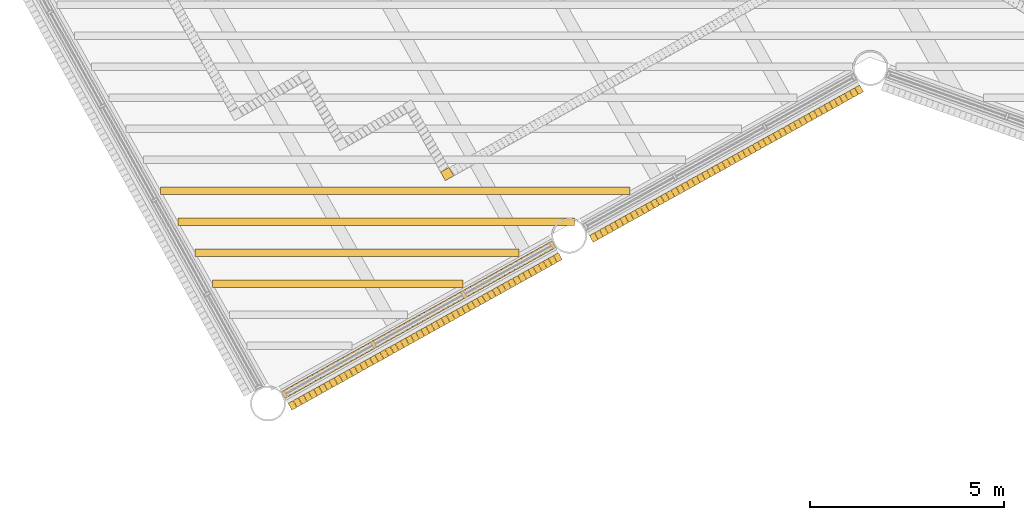
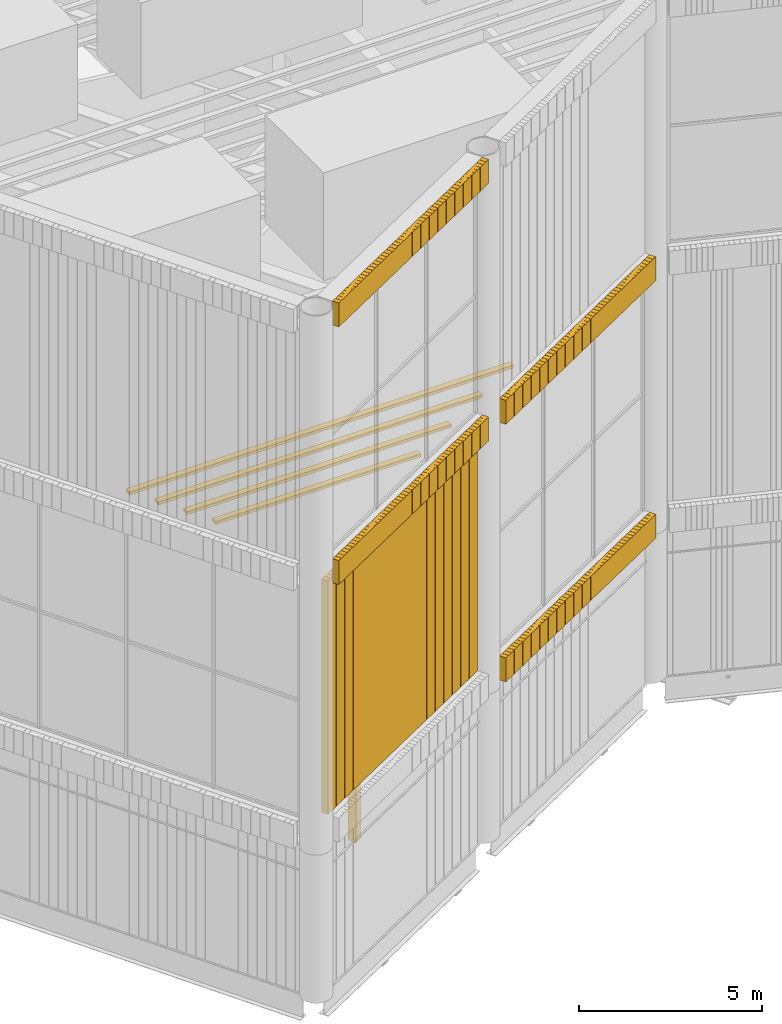
# One storey, part 87 of 117: 5 coverings, 5 shading devices.
"""IFC4 building model written with IfcOpenShell, lengths in metres."""

from ifc_helpers import new_model, si_unit, direction, frame, frame_2d, origin, origin_2d, place, context, subcontext, project, spatial, rectangle, composite_profile, extrude, material, type_object, element, save


model = new_model("IFC4")

# Units and contexts
model_context = context("Model", 3, precision=1e-05, world=origin(), true_north=direction((0.0, 1.0)))
body_context = subcontext(model_context, "Body", "Model", "MODEL_VIEW")
ifc_project = project(units=[si_unit("LENGTHUNIT", "METRE"), si_unit("AREAUNIT", "SQUARE_METRE"), si_unit("VOLUMEUNIT", "CUBIC_METRE"), si_unit("PLANEANGLEUNIT", "RADIAN"), si_unit("MASSUNIT", "GRAM", prefix="KILO")], contexts=[model_context])

# Site, building, storey
site_placement = place(None, origin())
site = spatial("IfcSite", under=ifc_project, at=site_placement, CompositionType="ELEMENT")
building_placement = place(site_placement, origin())
building = spatial("IfcBuilding", under=site, at=building_placement, Name="Tarsis Ring Headquarters", CompositionType="ELEMENT")
storey_placement = place(building_placement, frame((0.0, 0.0, 403.60009765625)))
storey = spatial("IfcBuildingStorey", under=building, at=storey_placement, Name="L95", CompositionType="ELEMENT", Elevation=403.60009765625)

# Coverings
ifc_material_1 = material(Name="Terracotta louvre", Category="masonry")
covering_type = type_object("IfcCoveringType", Name="Crown louvre fin", PredefinedType="CLADDING", material=ifc_material_1)
covering_1_placement = place(storey_placement, frame((-21.84130859375, -29.5087890625, 5.0), z_axis=(0.0, 0.0, 1.0), x_axis=(0.873594132029, 0.486644254279, 0.0)))
element("IfcCovering", 1, at=covering_1_placement, inside=storey, type_object=covering_type, Name="Crown louvre fascia R19", PredefinedType="CLADDING", context=body_context, shape_type="SweptSolid", body=[
    extrude(composite_profile([rectangle(XDim=0.14501953125, YDim=0.199951171875, at=frame_2d((0.072509765625, 0.0))), rectangle(XDim=0.14501953125, YDim=0.199951171875, at=frame_2d((0.223388671875, 0.0))), rectangle(XDim=0.14501953125, YDim=0.199951171875, at=frame_2d((0.374267578125, 0.0))), rectangle(XDim=0.14501953125, YDim=0.199951171875, at=frame_2d((0.52490234375, 0.0))), rectangle(XDim=0.14501953125, YDim=0.199951171875, at=frame_2d((0.67578125, 0.0))), rectangle(XDim=0.14501953125, YDim=0.199951171875, at=frame_2d((0.82666015625, 0.0))), rectangle(XDim=0.14501953125, YDim=0.199951171875, at=frame_2d((0.9775390625, 0.0))), rectangle(XDim=0.14501953125, YDim=0.199951171875, at=frame_2d((1.12841796875, 0.0))), rectangle(XDim=0.14501953125, YDim=0.199951171875, at=frame_2d((1.279052734375, 0.0))), rectangle(XDim=0.14501953125, YDim=0.199951171875, at=frame_2d((1.429931640625, 0.0))), rectangle(XDim=0.14501953125, YDim=0.199951171875, at=frame_2d((1.580810546875, 0.0))), rectangle(XDim=0.14501953125, YDim=0.199951171875, at=frame_2d((1.731689453125, 0.0))), rectangle(XDim=0.14501953125, YDim=0.199951171875, at=frame_2d((1.882568359375, 0.0))), rectangle(XDim=0.14501953125, YDim=0.199951171875, at=frame_2d((2.033203125, 0.0))), rectangle(XDim=0.14501953125, YDim=0.199951171875, at=frame_2d((2.18408203125, 0.0))), rectangle(XDim=0.14501953125, YDim=0.199951171875, at=frame_2d((2.3349609375, 0.0))), rectangle(XDim=0.14501953125, YDim=0.199951171875, at=frame_2d((2.48583984375, 0.0))), rectangle(XDim=0.14501953125, YDim=0.199951171875, at=frame_2d((2.63671875, 0.0))), rectangle(XDim=0.14501953125, YDim=0.199951171875, at=frame_2d((2.78759765625, 0.0))), rectangle(XDim=0.14501953125, YDim=0.199951171875, at=frame_2d((2.938232421875, 0.0))), rectangle(XDim=0.14501953125, YDim=0.199951171875, at=frame_2d((3.089111328125, 0.0))), rectangle(XDim=0.14501953125, YDim=0.199951171875, at=frame_2d((3.239990234375, 0.0))), rectangle(XDim=0.14501953125, YDim=0.199951171875, at=frame_2d((3.390869140625, 0.0))), rectangle(XDim=0.14501953125, YDim=0.199951171875, at=frame_2d((3.541748046875, 0.0))), rectangle(XDim=0.14501953125, YDim=0.199951171875, at=frame_2d((3.6923828125, 0.0))), rectangle(XDim=0.14501953125, YDim=0.199951171875, at=frame_2d((3.84326171875, 0.0))), rectangle(XDim=0.14501953125, YDim=0.199951171875, at=frame_2d((3.994140625, 0.0))), rectangle(XDim=0.14501953125, YDim=0.199951171875, at=frame_2d((4.14501953125, 0.0))), rectangle(XDim=0.14501953125, YDim=0.199951171875, at=frame_2d((4.2958984375, 0.0))), rectangle(XDim=0.14501953125, YDim=0.199951171875, at=frame_2d((4.446533203125, 0.0))), rectangle(XDim=0.14501953125, YDim=0.199951171875, at=frame_2d((4.597412109375, 0.0))), rectangle(XDim=0.14501953125, YDim=0.199951171875, at=frame_2d((4.748291015625, 0.0))), rectangle(XDim=0.14501953125, YDim=0.199951171875, at=frame_2d((4.899169921875, 0.0))), rectangle(XDim=0.14501953125, YDim=0.199951171875, at=frame_2d((5.050048828125, 0.0))), rectangle(XDim=0.14501953125, YDim=0.199951171875, at=frame_2d((5.20068359375, 0.0))), rectangle(XDim=0.14501953125, YDim=0.199951171875, at=frame_2d((5.3515625, 0.0))), rectangle(XDim=0.14501953125, YDim=0.199951171875, at=frame_2d((5.50244140625, 0.0))), rectangle(XDim=0.14501953125, YDim=0.199951171875, at=frame_2d((5.6533203125, 0.0))), rectangle(XDim=0.14501953125, YDim=0.199951171875, at=frame_2d((5.80419921875, 0.0))), rectangle(XDim=0.14501953125, YDim=0.199951171875, at=frame_2d((5.955078125, 0.0))), rectangle(XDim=0.14501953125, YDim=0.199951171875, at=frame_2d((6.105712890625, 0.0))), rectangle(XDim=0.14501953125, YDim=0.199951171875, at=frame_2d((6.256591796875, 0.0))), rectangle(XDim=0.14501953125, YDim=0.199951171875, at=frame_2d((6.407470703125, 0.0))), rectangle(XDim=0.14501953125, YDim=0.199951171875, at=frame_2d((6.558349609375, 0.0))), rectangle(XDim=0.14501953125, YDim=0.199951171875, at=frame_2d((6.709228515625, 0.0))), rectangle(XDim=0.14501953125, YDim=0.199951171875, at=frame_2d((6.85986328125, 0.0))), rectangle(XDim=0.14501953125, YDim=0.199951171875, at=frame_2d((7.0107421875, 0.0))), rectangle(XDim=0.14501953125, YDim=0.199951171875, at=frame_2d((7.16162109375, 0.0))), rectangle(XDim=0.14501953125, YDim=0.199951171875, at=frame_2d((7.3125, 0.0))), rectangle(XDim=0.14501953125, YDim=0.199951171875, at=frame_2d((7.46337890625, 0.0))), rectangle(XDim=0.14501953125, YDim=0.199951171875, at=frame_2d((7.614013671875, 0.0))), rectangle(XDim=0.14501953125, YDim=0.199951171875, at=frame_2d((7.764892578125, 0.0))), rectangle(XDim=0.14501953125, YDim=0.199951171875, at=frame_2d((7.915771484375, 0.0)))]), origin(), (0.0, 0.0, 1.0), 0.7998046875),
])
covering_2_placement = place(storey_placement, frame((-29.618408203125, -33.8408203125, 13.599853515625), z_axis=(0.0, 0.0, 1.0), x_axis=(0.873594132029, 0.486644254279, 0.0)))
element("IfcCovering", 2, at=covering_2_placement, inside=storey, type_object=covering_type, Name="Crown louvre fascia M18", PredefinedType="CLADDING", context=body_context, shape_type="SweptSolid", body=[
    extrude(composite_profile([rectangle(XDim=0.14501953125, YDim=0.199951171875, at=frame_2d((0.072509765625, 0.0))), rectangle(XDim=0.14501953125, YDim=0.199951171875, at=frame_2d((0.223388671875, 0.0))), rectangle(XDim=0.14501953125, YDim=0.199951171875, at=frame_2d((0.374267578125, 0.0))), rectangle(XDim=0.14501953125, YDim=0.199951171875, at=frame_2d((0.52490234375, 0.0))), rectangle(XDim=0.14501953125, YDim=0.199951171875, at=frame_2d((0.67578125, 0.0))), rectangle(XDim=0.14501953125, YDim=0.199951171875, at=frame_2d((0.82666015625, 0.0))), rectangle(XDim=0.14501953125, YDim=0.199951171875, at=frame_2d((0.9775390625, 0.0))), rectangle(XDim=0.14501953125, YDim=0.199951171875, at=frame_2d((1.12841796875, 0.0))), rectangle(XDim=0.14501953125, YDim=0.199951171875, at=frame_2d((1.279052734375, 0.0))), rectangle(XDim=0.14501953125, YDim=0.199951171875, at=frame_2d((1.429931640625, 0.0))), rectangle(XDim=0.14501953125, YDim=0.199951171875, at=frame_2d((1.580810546875, 0.0))), rectangle(XDim=0.14501953125, YDim=0.199951171875, at=frame_2d((1.731689453125, 0.0))), rectangle(XDim=0.14501953125, YDim=0.199951171875, at=frame_2d((1.882568359375, 0.0))), rectangle(XDim=0.14501953125, YDim=0.199951171875, at=frame_2d((2.033203125, 0.0))), rectangle(XDim=0.14501953125, YDim=0.199951171875, at=frame_2d((2.18408203125, 0.0))), rectangle(XDim=0.14501953125, YDim=0.199951171875, at=frame_2d((2.3349609375, 0.0))), rectangle(XDim=0.14501953125, YDim=0.199951171875, at=frame_2d((2.48583984375, 0.0))), rectangle(XDim=0.14501953125, YDim=0.199951171875, at=frame_2d((2.63671875, 0.0))), rectangle(XDim=0.14501953125, YDim=0.199951171875, at=frame_2d((2.78759765625, 0.0))), rectangle(XDim=0.14501953125, YDim=0.199951171875, at=frame_2d((2.938232421875, 0.0))), rectangle(XDim=0.14501953125, YDim=0.199951171875, at=frame_2d((3.089111328125, 0.0))), rectangle(XDim=0.14501953125, YDim=0.199951171875, at=frame_2d((3.239990234375, 0.0))), rectangle(XDim=0.14501953125, YDim=0.199951171875, at=frame_2d((3.390869140625, 0.0))), rectangle(XDim=0.14501953125, YDim=0.199951171875, at=frame_2d((3.541748046875, 0.0))), rectangle(XDim=0.14501953125, YDim=0.199951171875, at=frame_2d((3.6923828125, 0.0))), rectangle(XDim=0.14501953125, YDim=0.199951171875, at=frame_2d((3.84326171875, 0.0))), rectangle(XDim=0.14501953125, YDim=0.199951171875, at=frame_2d((3.994140625, 0.0))), rectangle(XDim=0.14501953125, YDim=0.199951171875, at=frame_2d((4.14501953125, 0.0))), rectangle(XDim=0.14501953125, YDim=0.199951171875, at=frame_2d((4.2958984375, 0.0))), rectangle(XDim=0.14501953125, YDim=0.199951171875, at=frame_2d((4.446533203125, 0.0))), rectangle(XDim=0.14501953125, YDim=0.199951171875, at=frame_2d((4.597412109375, 0.0))), rectangle(XDim=0.14501953125, YDim=0.199951171875, at=frame_2d((4.748291015625, 0.0))), rectangle(XDim=0.14501953125, YDim=0.199951171875, at=frame_2d((4.899169921875, 0.0))), rectangle(XDim=0.14501953125, YDim=0.199951171875, at=frame_2d((5.050048828125, 0.0))), rectangle(XDim=0.14501953125, YDim=0.199951171875, at=frame_2d((5.20068359375, 0.0))), rectangle(XDim=0.14501953125, YDim=0.199951171875, at=frame_2d((5.3515625, 0.0))), rectangle(XDim=0.14501953125, YDim=0.199951171875, at=frame_2d((5.50244140625, 0.0))), rectangle(XDim=0.14501953125, YDim=0.199951171875, at=frame_2d((5.6533203125, 0.0))), rectangle(XDim=0.14501953125, YDim=0.199951171875, at=frame_2d((5.80419921875, 0.0))), rectangle(XDim=0.14501953125, YDim=0.199951171875, at=frame_2d((5.955078125, 0.0))), rectangle(XDim=0.14501953125, YDim=0.199951171875, at=frame_2d((6.105712890625, 0.0))), rectangle(XDim=0.14501953125, YDim=0.199951171875, at=frame_2d((6.256591796875, 0.0))), rectangle(XDim=0.14501953125, YDim=0.199951171875, at=frame_2d((6.407470703125, 0.0))), rectangle(XDim=0.14501953125, YDim=0.199951171875, at=frame_2d((6.558349609375, 0.0))), rectangle(XDim=0.14501953125, YDim=0.199951171875, at=frame_2d((6.709228515625, 0.0))), rectangle(XDim=0.14501953125, YDim=0.199951171875, at=frame_2d((6.85986328125, 0.0))), rectangle(XDim=0.14501953125, YDim=0.199951171875, at=frame_2d((7.0107421875, 0.0))), rectangle(XDim=0.14501953125, YDim=0.199951171875, at=frame_2d((7.16162109375, 0.0))), rectangle(XDim=0.14501953125, YDim=0.199951171875, at=frame_2d((7.3125, 0.0))), rectangle(XDim=0.14501953125, YDim=0.199951171875, at=frame_2d((7.46337890625, 0.0))), rectangle(XDim=0.14501953125, YDim=0.199951171875, at=frame_2d((7.614013671875, 0.0))), rectangle(XDim=0.14501953125, YDim=0.199951171875, at=frame_2d((7.764892578125, 0.0))), rectangle(XDim=0.14501953125, YDim=0.199951171875, at=frame_2d((7.915771484375, 0.0)))]), origin(), (0.0, 0.0, 1.0), 0.800048828125),
])
covering_3_placement = place(storey_placement, frame((-21.84130859375, -29.5087890625, 13.599853515625), z_axis=(0.0, 0.0, 1.0), x_axis=(0.873594132029, 0.486644254279, 0.0)))
element("IfcCovering", 3, at=covering_3_placement, inside=storey, type_object=covering_type, Name="Crown louvre fascia M19", PredefinedType="CLADDING", context=body_context, shape_type="SweptSolid", body=[
    extrude(composite_profile([rectangle(XDim=0.14501953125, YDim=0.199951171875, at=frame_2d((0.072509765625, 0.0))), rectangle(XDim=0.14501953125, YDim=0.199951171875, at=frame_2d((0.223388671875, 0.0))), rectangle(XDim=0.14501953125, YDim=0.199951171875, at=frame_2d((0.374267578125, 0.0))), rectangle(XDim=0.14501953125, YDim=0.199951171875, at=frame_2d((0.52490234375, 0.0))), rectangle(XDim=0.14501953125, YDim=0.199951171875, at=frame_2d((0.67578125, 0.0))), rectangle(XDim=0.14501953125, YDim=0.199951171875, at=frame_2d((0.82666015625, 0.0))), rectangle(XDim=0.14501953125, YDim=0.199951171875, at=frame_2d((0.9775390625, 0.0))), rectangle(XDim=0.14501953125, YDim=0.199951171875, at=frame_2d((1.12841796875, 0.0))), rectangle(XDim=0.14501953125, YDim=0.199951171875, at=frame_2d((1.279052734375, 0.0))), rectangle(XDim=0.14501953125, YDim=0.199951171875, at=frame_2d((1.429931640625, 0.0))), rectangle(XDim=0.14501953125, YDim=0.199951171875, at=frame_2d((1.580810546875, 0.0))), rectangle(XDim=0.14501953125, YDim=0.199951171875, at=frame_2d((1.731689453125, 0.0))), rectangle(XDim=0.14501953125, YDim=0.199951171875, at=frame_2d((1.882568359375, 0.0))), rectangle(XDim=0.14501953125, YDim=0.199951171875, at=frame_2d((2.033203125, 0.0))), rectangle(XDim=0.14501953125, YDim=0.199951171875, at=frame_2d((2.18408203125, 0.0))), rectangle(XDim=0.14501953125, YDim=0.199951171875, at=frame_2d((2.3349609375, 0.0))), rectangle(XDim=0.14501953125, YDim=0.199951171875, at=frame_2d((2.48583984375, 0.0))), rectangle(XDim=0.14501953125, YDim=0.199951171875, at=frame_2d((2.63671875, 0.0))), rectangle(XDim=0.14501953125, YDim=0.199951171875, at=frame_2d((2.78759765625, 0.0))), rectangle(XDim=0.14501953125, YDim=0.199951171875, at=frame_2d((2.938232421875, 0.0))), rectangle(XDim=0.14501953125, YDim=0.199951171875, at=frame_2d((3.089111328125, 0.0))), rectangle(XDim=0.14501953125, YDim=0.199951171875, at=frame_2d((3.239990234375, 0.0))), rectangle(XDim=0.14501953125, YDim=0.199951171875, at=frame_2d((3.390869140625, 0.0))), rectangle(XDim=0.14501953125, YDim=0.199951171875, at=frame_2d((3.541748046875, 0.0))), rectangle(XDim=0.14501953125, YDim=0.199951171875, at=frame_2d((3.6923828125, 0.0))), rectangle(XDim=0.14501953125, YDim=0.199951171875, at=frame_2d((3.84326171875, 0.0))), rectangle(XDim=0.14501953125, YDim=0.199951171875, at=frame_2d((3.994140625, 0.0))), rectangle(XDim=0.14501953125, YDim=0.199951171875, at=frame_2d((4.14501953125, 0.0))), rectangle(XDim=0.14501953125, YDim=0.199951171875, at=frame_2d((4.2958984375, 0.0))), rectangle(XDim=0.14501953125, YDim=0.199951171875, at=frame_2d((4.446533203125, 0.0))), rectangle(XDim=0.14501953125, YDim=0.199951171875, at=frame_2d((4.597412109375, 0.0))), rectangle(XDim=0.14501953125, YDim=0.199951171875, at=frame_2d((4.748291015625, 0.0))), rectangle(XDim=0.14501953125, YDim=0.199951171875, at=frame_2d((4.899169921875, 0.0))), rectangle(XDim=0.14501953125, YDim=0.199951171875, at=frame_2d((5.050048828125, 0.0))), rectangle(XDim=0.14501953125, YDim=0.199951171875, at=frame_2d((5.20068359375, 0.0))), rectangle(XDim=0.14501953125, YDim=0.199951171875, at=frame_2d((5.3515625, 0.0))), rectangle(XDim=0.14501953125, YDim=0.199951171875, at=frame_2d((5.50244140625, 0.0))), rectangle(XDim=0.14501953125, YDim=0.199951171875, at=frame_2d((5.6533203125, 0.0))), rectangle(XDim=0.14501953125, YDim=0.199951171875, at=frame_2d((5.80419921875, 0.0))), rectangle(XDim=0.14501953125, YDim=0.199951171875, at=frame_2d((5.955078125, 0.0))), rectangle(XDim=0.14501953125, YDim=0.199951171875, at=frame_2d((6.105712890625, 0.0))), rectangle(XDim=0.14501953125, YDim=0.199951171875, at=frame_2d((6.256591796875, 0.0))), rectangle(XDim=0.14501953125, YDim=0.199951171875, at=frame_2d((6.407470703125, 0.0))), rectangle(XDim=0.14501953125, YDim=0.199951171875, at=frame_2d((6.558349609375, 0.0))), rectangle(XDim=0.14501953125, YDim=0.199951171875, at=frame_2d((6.709228515625, 0.0))), rectangle(XDim=0.14501953125, YDim=0.199951171875, at=frame_2d((6.85986328125, 0.0))), rectangle(XDim=0.14501953125, YDim=0.199951171875, at=frame_2d((7.0107421875, 0.0))), rectangle(XDim=0.14501953125, YDim=0.199951171875, at=frame_2d((7.16162109375, 0.0))), rectangle(XDim=0.14501953125, YDim=0.199951171875, at=frame_2d((7.3125, 0.0))), rectangle(XDim=0.14501953125, YDim=0.199951171875, at=frame_2d((7.46337890625, 0.0))), rectangle(XDim=0.14501953125, YDim=0.199951171875, at=frame_2d((7.614013671875, 0.0))), rectangle(XDim=0.14501953125, YDim=0.199951171875, at=frame_2d((7.764892578125, 0.0))), rectangle(XDim=0.14501953125, YDim=0.199951171875, at=frame_2d((7.915771484375, 0.0)))]), origin(), (0.0, 0.0, 1.0), 0.800048828125),
])
covering_4_placement = place(storey_placement, frame((-29.618408203125, -33.8408203125, 22.199951171875), z_axis=(0.0, 0.0, 1.0), x_axis=(0.873594132029, 0.486644254279, 0.0)))
element("IfcCovering", 4, at=covering_4_placement, inside=storey, type_object=covering_type, Name="Crown louvre fascia T18", PredefinedType="CLADDING", context=body_context, shape_type="SweptSolid", body=[
    extrude(composite_profile([rectangle(XDim=0.14501953125, YDim=0.199951171875, at=frame_2d((0.072509765625, 0.0))), rectangle(XDim=0.14501953125, YDim=0.199951171875, at=frame_2d((0.223388671875, 0.0))), rectangle(XDim=0.14501953125, YDim=0.199951171875, at=frame_2d((0.374267578125, 0.0))), rectangle(XDim=0.14501953125, YDim=0.199951171875, at=frame_2d((0.52490234375, 0.0))), rectangle(XDim=0.14501953125, YDim=0.199951171875, at=frame_2d((0.67578125, 0.0))), rectangle(XDim=0.14501953125, YDim=0.199951171875, at=frame_2d((0.82666015625, 0.0))), rectangle(XDim=0.14501953125, YDim=0.199951171875, at=frame_2d((0.9775390625, 0.0))), rectangle(XDim=0.14501953125, YDim=0.199951171875, at=frame_2d((1.12841796875, 0.0))), rectangle(XDim=0.14501953125, YDim=0.199951171875, at=frame_2d((1.279052734375, 0.0))), rectangle(XDim=0.14501953125, YDim=0.199951171875, at=frame_2d((1.429931640625, 0.0))), rectangle(XDim=0.14501953125, YDim=0.199951171875, at=frame_2d((1.580810546875, 0.0))), rectangle(XDim=0.14501953125, YDim=0.199951171875, at=frame_2d((1.731689453125, 0.0))), rectangle(XDim=0.14501953125, YDim=0.199951171875, at=frame_2d((1.882568359375, 0.0))), rectangle(XDim=0.14501953125, YDim=0.199951171875, at=frame_2d((2.033203125, 0.0))), rectangle(XDim=0.14501953125, YDim=0.199951171875, at=frame_2d((2.18408203125, 0.0))), rectangle(XDim=0.14501953125, YDim=0.199951171875, at=frame_2d((2.3349609375, 0.0))), rectangle(XDim=0.14501953125, YDim=0.199951171875, at=frame_2d((2.48583984375, 0.0))), rectangle(XDim=0.14501953125, YDim=0.199951171875, at=frame_2d((2.63671875, 0.0))), rectangle(XDim=0.14501953125, YDim=0.199951171875, at=frame_2d((2.78759765625, 0.0))), rectangle(XDim=0.14501953125, YDim=0.199951171875, at=frame_2d((2.938232421875, 0.0))), rectangle(XDim=0.14501953125, YDim=0.199951171875, at=frame_2d((3.089111328125, 0.0))), rectangle(XDim=0.14501953125, YDim=0.199951171875, at=frame_2d((3.239990234375, 0.0))), rectangle(XDim=0.14501953125, YDim=0.199951171875, at=frame_2d((3.390869140625, 0.0))), rectangle(XDim=0.14501953125, YDim=0.199951171875, at=frame_2d((3.541748046875, 0.0))), rectangle(XDim=0.14501953125, YDim=0.199951171875, at=frame_2d((3.6923828125, 0.0))), rectangle(XDim=0.14501953125, YDim=0.199951171875, at=frame_2d((3.84326171875, 0.0))), rectangle(XDim=0.14501953125, YDim=0.199951171875, at=frame_2d((3.994140625, 0.0))), rectangle(XDim=0.14501953125, YDim=0.199951171875, at=frame_2d((4.14501953125, 0.0))), rectangle(XDim=0.14501953125, YDim=0.199951171875, at=frame_2d((4.2958984375, 0.0))), rectangle(XDim=0.14501953125, YDim=0.199951171875, at=frame_2d((4.446533203125, 0.0))), rectangle(XDim=0.14501953125, YDim=0.199951171875, at=frame_2d((4.597412109375, 0.0))), rectangle(XDim=0.14501953125, YDim=0.199951171875, at=frame_2d((4.748291015625, 0.0))), rectangle(XDim=0.14501953125, YDim=0.199951171875, at=frame_2d((4.899169921875, 0.0))), rectangle(XDim=0.14501953125, YDim=0.199951171875, at=frame_2d((5.050048828125, 0.0))), rectangle(XDim=0.14501953125, YDim=0.199951171875, at=frame_2d((5.20068359375, 0.0))), rectangle(XDim=0.14501953125, YDim=0.199951171875, at=frame_2d((5.3515625, 0.0))), rectangle(XDim=0.14501953125, YDim=0.199951171875, at=frame_2d((5.50244140625, 0.0))), rectangle(XDim=0.14501953125, YDim=0.199951171875, at=frame_2d((5.6533203125, 0.0))), rectangle(XDim=0.14501953125, YDim=0.199951171875, at=frame_2d((5.80419921875, 0.0))), rectangle(XDim=0.14501953125, YDim=0.199951171875, at=frame_2d((5.955078125, 0.0))), rectangle(XDim=0.14501953125, YDim=0.199951171875, at=frame_2d((6.105712890625, 0.0))), rectangle(XDim=0.14501953125, YDim=0.199951171875, at=frame_2d((6.256591796875, 0.0))), rectangle(XDim=0.14501953125, YDim=0.199951171875, at=frame_2d((6.407470703125, 0.0))), rectangle(XDim=0.14501953125, YDim=0.199951171875, at=frame_2d((6.558349609375, 0.0))), rectangle(XDim=0.14501953125, YDim=0.199951171875, at=frame_2d((6.709228515625, 0.0))), rectangle(XDim=0.14501953125, YDim=0.199951171875, at=frame_2d((6.85986328125, 0.0))), rectangle(XDim=0.14501953125, YDim=0.199951171875, at=frame_2d((7.0107421875, 0.0))), rectangle(XDim=0.14501953125, YDim=0.199951171875, at=frame_2d((7.16162109375, 0.0))), rectangle(XDim=0.14501953125, YDim=0.199951171875, at=frame_2d((7.3125, 0.0))), rectangle(XDim=0.14501953125, YDim=0.199951171875, at=frame_2d((7.46337890625, 0.0))), rectangle(XDim=0.14501953125, YDim=0.199951171875, at=frame_2d((7.614013671875, 0.0))), rectangle(XDim=0.14501953125, YDim=0.199951171875, at=frame_2d((7.764892578125, 0.0))), rectangle(XDim=0.14501953125, YDim=0.199951171875, at=frame_2d((7.915771484375, 0.0)))]), origin(), (0.0, 0.0, 1.0), 0.800048828125),
])
covering_5_placement = place(storey_placement, frame((-29.78857421875, -33.53515625, 5.7998046875), z_axis=(0.0, 0.0, 1.0), x_axis=(0.873594132029, 0.486644254279, 0.0)))
element("IfcCovering", 5, at=covering_5_placement, inside=storey, type_object=covering_type, Name="Crown louvre L18", PredefinedType="CLADDING", context=body_context, shape_type="SweptSolid", body=[
    extrude(composite_profile([rectangle(XDim=0.14501953125, YDim=0.199951171875, at=frame_2d((0.072509765625, 0.0))), rectangle(XDim=0.14501953125, YDim=0.199951171875, at=frame_2d((0.223388671875, 0.0))), rectangle(XDim=0.14501953125, YDim=0.199951171875, at=frame_2d((0.374267578125, 0.0))), rectangle(XDim=0.14501953125, YDim=0.199951171875, at=frame_2d((0.52490234375, 0.0))), rectangle(XDim=0.14501953125, YDim=0.199951171875, at=frame_2d((0.67578125, 0.0))), rectangle(XDim=0.14501953125, YDim=0.199951171875, at=frame_2d((0.82666015625, 0.0))), rectangle(XDim=0.14501953125, YDim=0.199951171875, at=frame_2d((0.9775390625, 0.0))), rectangle(XDim=0.14501953125, YDim=0.199951171875, at=frame_2d((1.12841796875, 0.0))), rectangle(XDim=0.14501953125, YDim=0.199951171875, at=frame_2d((1.279052734375, 0.0))), rectangle(XDim=0.14501953125, YDim=0.199951171875, at=frame_2d((1.429931640625, 0.0))), rectangle(XDim=0.14501953125, YDim=0.199951171875, at=frame_2d((1.580810546875, 0.0))), rectangle(XDim=0.14501953125, YDim=0.199951171875, at=frame_2d((1.731689453125, 0.0))), rectangle(XDim=0.14501953125, YDim=0.199951171875, at=frame_2d((1.882568359375, 0.0))), rectangle(XDim=0.14501953125, YDim=0.199951171875, at=frame_2d((2.033203125, 0.0))), rectangle(XDim=0.14501953125, YDim=0.199951171875, at=frame_2d((2.18408203125, 0.0))), rectangle(XDim=0.14501953125, YDim=0.199951171875, at=frame_2d((2.3349609375, 0.0))), rectangle(XDim=0.14501953125, YDim=0.199951171875, at=frame_2d((2.48583984375, 0.0))), rectangle(XDim=0.14501953125, YDim=0.199951171875, at=frame_2d((2.63671875, 0.0))), rectangle(XDim=0.14501953125, YDim=0.199951171875, at=frame_2d((2.78759765625, 0.0))), rectangle(XDim=0.14501953125, YDim=0.199951171875, at=frame_2d((2.938232421875, 0.0))), rectangle(XDim=0.14501953125, YDim=0.199951171875, at=frame_2d((3.089111328125, 0.0))), rectangle(XDim=0.14501953125, YDim=0.199951171875, at=frame_2d((3.239990234375, 0.0))), rectangle(XDim=0.14501953125, YDim=0.199951171875, at=frame_2d((3.390869140625, 0.0))), rectangle(XDim=0.14501953125, YDim=0.199951171875, at=frame_2d((3.541748046875, 0.0))), rectangle(XDim=0.14501953125, YDim=0.199951171875, at=frame_2d((3.6923828125, 0.0))), rectangle(XDim=0.14501953125, YDim=0.199951171875, at=frame_2d((3.84326171875, 0.0))), rectangle(XDim=0.14501953125, YDim=0.199951171875, at=frame_2d((3.994140625, 0.0))), rectangle(XDim=0.14501953125, YDim=0.199951171875, at=frame_2d((4.14501953125, 0.0))), rectangle(XDim=0.14501953125, YDim=0.199951171875, at=frame_2d((4.2958984375, 0.0))), rectangle(XDim=0.14501953125, YDim=0.199951171875, at=frame_2d((4.446533203125, 0.0))), rectangle(XDim=0.14501953125, YDim=0.199951171875, at=frame_2d((4.597412109375, 0.0))), rectangle(XDim=0.14501953125, YDim=0.199951171875, at=frame_2d((4.748291015625, 0.0))), rectangle(XDim=0.14501953125, YDim=0.199951171875, at=frame_2d((4.899169921875, 0.0))), rectangle(XDim=0.14501953125, YDim=0.199951171875, at=frame_2d((5.050048828125, 0.0))), rectangle(XDim=0.14501953125, YDim=0.199951171875, at=frame_2d((5.20068359375, 0.0))), rectangle(XDim=0.14501953125, YDim=0.199951171875, at=frame_2d((5.3515625, 0.0))), rectangle(XDim=0.14501953125, YDim=0.199951171875, at=frame_2d((5.50244140625, 0.0))), rectangle(XDim=0.14501953125, YDim=0.199951171875, at=frame_2d((5.6533203125, 0.0))), rectangle(XDim=0.14501953125, YDim=0.199951171875, at=frame_2d((5.80419921875, 0.0))), rectangle(XDim=0.14501953125, YDim=0.199951171875, at=frame_2d((5.955078125, 0.0))), rectangle(XDim=0.14501953125, YDim=0.199951171875, at=frame_2d((6.105712890625, 0.0))), rectangle(XDim=0.14501953125, YDim=0.199951171875, at=frame_2d((6.256591796875, 0.0))), rectangle(XDim=0.14501953125, YDim=0.199951171875, at=frame_2d((6.407470703125, 0.0))), rectangle(XDim=0.14501953125, YDim=0.199951171875, at=frame_2d((6.558349609375, 0.0))), rectangle(XDim=0.14501953125, YDim=0.199951171875, at=frame_2d((6.709228515625, 0.0))), rectangle(XDim=0.14501953125, YDim=0.199951171875, at=frame_2d((6.85986328125, 0.0))), rectangle(XDim=0.14501953125, YDim=0.199951171875, at=frame_2d((7.0107421875, 0.0))), rectangle(XDim=0.14501953125, YDim=0.199951171875, at=frame_2d((7.16162109375, 0.0))), rectangle(XDim=0.14501953125, YDim=0.199951171875, at=frame_2d((7.3125, 0.0))), rectangle(XDim=0.14501953125, YDim=0.199951171875, at=frame_2d((7.46337890625, 0.0))), rectangle(XDim=0.14501953125, YDim=0.199951171875, at=frame_2d((7.614013671875, 0.0))), rectangle(XDim=0.14501953125, YDim=0.199951171875, at=frame_2d((7.764892578125, 0.0))), rectangle(XDim=0.14501953125, YDim=0.199951171875, at=frame_2d((7.915771484375, 0.0)))]), origin(), (0.0, 0.0, 1.0), 7.800048828125),
])

# Shading devices
ifc_material_2 = material(Name="Aluminium louvre", Category="aluminium")
shading_device_type_1 = type_object("IfcShadingDeviceType", Name="Crown roof louvre blade", PredefinedType="USERDEFINED", material=ifc_material_2)
shading_device_1_placement = place(storey_placement, frame((-28.38671875, -30.664306640625, 14.39990234375), z_axis=(0.0, 0.0, 1.0), x_axis=(1.0, 0.0, 0.0)))
element("IfcShadingDevice", 6, at=shading_device_1_placement, inside=storey, type_object=shading_device_type_1, Name="Crown roof louvre 7", ObjectType="Crown roof louvre", PredefinedType="USERDEFINED", context=body_context, shape_type="SweptSolid", body=[
    extrude(rectangle(XDim=6.476318359375, YDim=0.199951171875, at=origin_2d()), origin(), (0.0, 0.0, 1.0), 0.10009765625),
])
shading_device_2_placement = place(storey_placement, frame((-27.8916015625, -29.8642578125, 14.39990234375), z_axis=(0.0, 0.0, 1.0), x_axis=(1.0, 0.0, 0.0)))
element("IfcShadingDevice", 7, at=shading_device_2_placement, inside=storey, type_object=shading_device_type_1, Name="Crown roof louvre 9", ObjectType="Crown roof louvre", PredefinedType="USERDEFINED", context=body_context, shape_type="SweptSolid", body=[
    extrude(rectangle(XDim=8.358154296875, YDim=0.199951171875, at=origin_2d()), origin(), (0.0, 0.0, 1.0), 0.10009765625),
])
shading_device_3_placement = place(storey_placement, frame((-27.396240234375, -29.064208984375, 14.39990234375), z_axis=(0.0, 0.0, 1.0), x_axis=(1.0, 0.0, 0.0)))
element("IfcShadingDevice", 8, at=shading_device_3_placement, inside=storey, type_object=shading_device_type_1, Name="Crown roof louvre 11", ObjectType="Crown roof louvre", PredefinedType="USERDEFINED", context=body_context, shape_type="SweptSolid", body=[
    extrude(rectangle(XDim=10.23974609375, YDim=0.199951171875, at=origin_2d()), origin(), (0.0, 0.0, 1.0), 0.10009765625),
])
shading_device_4_placement = place(storey_placement, frame((-26.90087890625, -28.26416015625, 14.39990234375), z_axis=(0.0, 0.0, 1.0), x_axis=(1.0, 0.0, 0.0)))
element("IfcShadingDevice", 9, at=shading_device_4_placement, inside=storey, type_object=shading_device_type_1, Name="Crown roof louvre 13", ObjectType="Crown roof louvre", PredefinedType="USERDEFINED", context=body_context, shape_type="SweptSolid", body=[
    extrude(rectangle(XDim=12.12158203125, YDim=0.199951171875, at=origin_2d()), origin(), (0.0, 0.0, 1.0), 0.10009765625),
])
ifc_material_3 = material(Name="Terracotta baguette", Category="masonry")
shading_device_type_2 = type_object("IfcShadingDeviceType", Name="Terracotta corner baguette 250x250", PredefinedType="USERDEFINED", material=ifc_material_3)
shading_device_5_placement = place(storey_placement, frame((-25.5615234375, -27.832275390625, 0.0), z_axis=(0.0, 0.0, 1.0), x_axis=(0.486640431068, -0.873602364265, 0.0)))
element("IfcShadingDevice", 10, at=shading_device_5_placement, inside=storey, type_object=shading_device_type_2, Name="Corner baguette L95-01", ObjectType="Terracotta corner baguette", PredefinedType="USERDEFINED", context=body_context, shape_type="SweptSolid", body=[
    extrude(rectangle(XDim=0.25, YDim=0.25, at=origin_2d()), origin(), (0.0, 0.0, 1.0), 4.699951171875),
])

save(model, "model.ifc")
